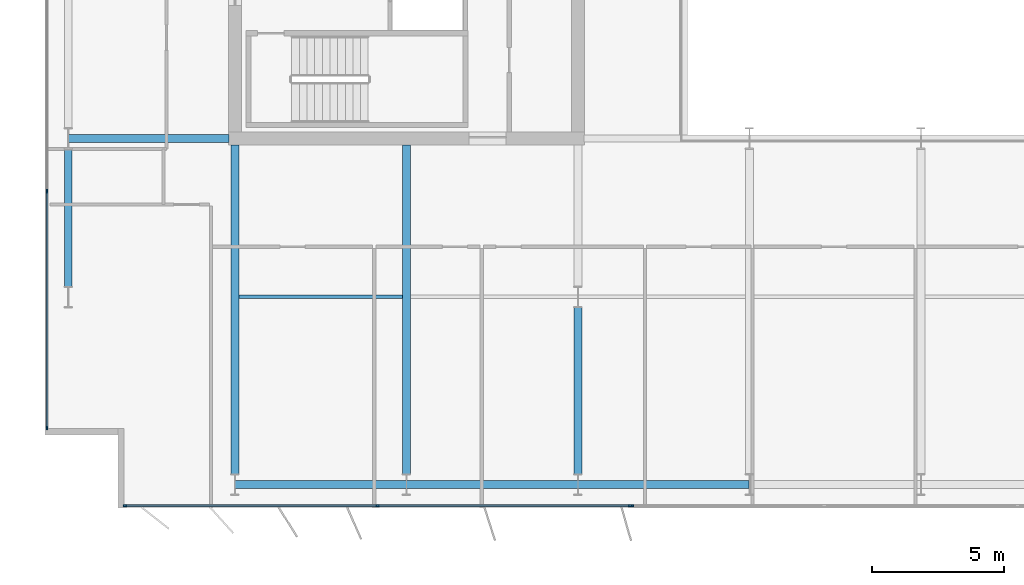
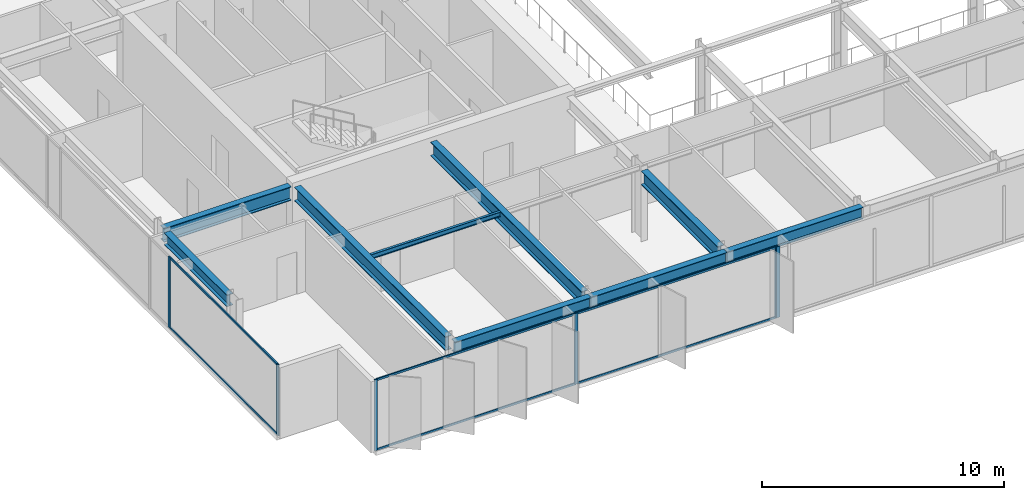
# One storey, part 3 of 23: 12 members, 9 beams, 3 elements without a shape of their own.
"""IFC4 building model written with IfcOpenShell, lengths in metres."""

from ifc_helpers import new_model, si_unit, direction, frame, origin, origin_2d, place, context, subcontext, project, spatial, rectangle, i_section, extrude, material, layer, layer_set, material_profile, profile_set, type_object, element, aggregate, save


model = new_model("IFC4")

# Units and contexts
model_context = context("Model", 3, precision=1e-05, world=origin(), true_north=direction((0.0, 1.0)))
body_context = subcontext(model_context, "Body", "Model", "MODEL_VIEW")
ifc_project = project(units=[si_unit("LENGTHUNIT", "METRE"), si_unit("AREAUNIT", "SQUARE_METRE"), si_unit("VOLUMEUNIT", "CUBIC_METRE"), si_unit("PLANEANGLEUNIT", "RADIAN"), si_unit("MASSUNIT", "GRAM", prefix="KILO")], contexts=[model_context])

# Site, building, storey
site_placement = place(None, origin())
site = spatial("IfcSite", under=ifc_project, at=site_placement, CompositionType="ELEMENT")
building_placement = place(site_placement, origin())
building = spatial("IfcBuilding", under=site, at=building_placement, Name="Putna Gate Headquarters", CompositionType="ELEMENT")
storey_placement = place(building_placement, frame((0.0, 0.0, 221.39990234375)))
storey = spatial("IfcBuildingStorey", under=building, at=storey_placement, Name="L55", CompositionType="ELEMENT", Elevation=221.39990234375)

# Beams
ifc_material_1 = material(Name="Steel S355J2", Category="steel")
ifc_material_profile_1 = material_profile(ifc_material_1, i_section(OverallWidth=0.300048828125, OverallDepth=0.699951171875, WebThickness=0.01708984375, FlangeThickness=0.031982421875, at=origin_2d()), Name="Steel S355J2")
ifc_profile_set_1 = profile_set([ifc_material_profile_1], Name="Steel S355J2")
beam_type_1 = type_object("IfcBeamType", Name="BM-GIRD-B-HEB700", PredefinedType="USERDEFINED", material=ifc_profile_set_1)
beam_1_placement = place(storey_placement, frame((6.68603515625, 19.0, 3.22998046875), z_axis=(1.0, 0.0, 0.0), x_axis=(0.0, 1.0, 0.0)))
element("IfcBeam", 1, at=beam_1_placement, inside=storey, type_object=beam_type_1, Name="L55 West Wing Girder Y19", ObjectType="GIRDER", PredefinedType="USERDEFINED", context=body_context, shape_type="SweptSolid", body=[
    extrude(i_section(OverallWidth=0.300048828125, OverallDepth=0.699951171875, WebThickness=0.01708984375, FlangeThickness=0.031982421875, at=origin_2d()), origin(), (0.0, 0.0, 1.0), 6.078857421875),
])
for number, where, z_axis, x_axis, name in (
    (2, (13.0, 6.27490234375, 3.22998046875), (0.0, 1.0, 0.0), (-1.0, 0.0, 0.0), "L55 South Primary Girder X13"),
    (3, (19.5, 6.27490234375, 3.22998046875), (0.0, 1.0, 0.0), (-1.0, 0.0, 0.0), "L55 South Primary Girder X19"),
):
    element("IfcBeam", number, at=place(storey_placement, frame(where, z_axis=z_axis, x_axis=x_axis)), inside=storey, type_object=beam_type_1, Name=name, ObjectType="GIRDER", PredefinedType="USERDEFINED", context=body_context, shape_type="SweptSolid", body=[
        extrude(i_section(OverallWidth=0.300048828125, OverallDepth=0.699951171875, WebThickness=0.01708984375, FlangeThickness=0.031982421875, at=origin_2d()), origin(), (0.0, 0.0, 1.0), 12.489990234375),
    ])
beam_2_placement = place(storey_placement, frame((26.0, 6.27490234375, 3.22998046875), z_axis=(0.0, 1.0, 0.0), x_axis=(-1.0, 0.0, 0.0)))
element("IfcBeam", 4, at=beam_2_placement, inside=storey, type_object=beam_type_1, Name="L55 South Primary Girder X26-1", ObjectType="GIRDER", PredefinedType="USERDEFINED", context=body_context, shape_type="SweptSolid", body=[
    extrude(i_section(OverallWidth=0.300048828125, OverallDepth=0.699951171875, WebThickness=0.01708984375, FlangeThickness=0.031982421875, at=origin_2d()), origin(), (0.0, 0.0, 1.0), 6.330078125),
])
ifc_material_profile_2 = material_profile(ifc_material_1, i_section(OverallWidth=0.1201171875, OverallDepth=0.239990234375, WebThickness=0.006103515625, FlangeThickness=0.009765625, at=origin_2d()), Name="Steel S355J2")
ifc_profile_set_2 = profile_set([ifc_material_profile_2], Name="Steel S355J2")
beam_type_2 = type_object("IfcBeamType", Name="BM-SEC-Z4-IPE240", PredefinedType="JOIST", material=ifc_profile_set_2)
beam_3_placement = place(storey_placement, frame((13.154052734375, 13.0, 3.460205078125), z_axis=(1.0, 0.0, 0.0), x_axis=(0.0, 1.0, 0.0)))
element("IfcBeam", 5, at=beam_3_placement, inside=storey, type_object=beam_type_2, Name="L55 South Secondary Beam 1", PredefinedType="JOIST", context=body_context, shape_type="SweptSolid", body=[
    extrude(i_section(OverallWidth=0.1201171875, OverallDepth=0.239990234375, WebThickness=0.006103515625, FlangeThickness=0.009765625, at=origin_2d()), origin(), (0.0, 0.0, 1.0), 6.19189453125),
])
ifc_material_profile_3 = material_profile(ifc_material_1, i_section(OverallWidth=0.300048828125, OverallDepth=0.590087890625, WebThickness=0.012939453125, FlangeThickness=0.02490234375, at=origin_2d()), Name="Steel S355J2")
ifc_profile_set_3 = profile_set([ifc_material_profile_3], Name="Steel S355J2")
beam_type_3 = type_object("IfcBeamType", Name="BM-SPAN-Z4-HEA600", PredefinedType="SPANDREL", material=ifc_profile_set_3)
for number, where, z_axis, x_axis, name in (
    (6, (13.006103515625, 5.8798828125, 3.28515625), (1.0, 0.0, 0.0), (0.0, 1.0, 0.0), "L55 S Perimeter Spandrel 1"),
    (7, (19.506103515625, 5.8798828125, 3.28515625), (1.0, 0.0, 0.0), (0.0, 1.0, 0.0), "L55 S Perimeter Spandrel 2"),
    (8, (26.006103515625, 5.8798828125, 3.28515625), (1.0, 0.0, 0.0), (0.0, 1.0, 0.0), "L55 S Perimeter Spandrel 3"),
):
    element("IfcBeam", number, at=place(storey_placement, frame(where, z_axis=z_axis, x_axis=x_axis)), inside=storey, type_object=beam_type_3, Name=name, PredefinedType="SPANDREL", context=body_context, shape_type="SweptSolid", body=[
        extrude(i_section(OverallWidth=0.300048828125, OverallDepth=0.590087890625, WebThickness=0.012939453125, FlangeThickness=0.02490234375, at=origin_2d()), origin(), (0.0, 0.0, 1.0), 6.48779296875),
    ])
beam_4_placement = place(storey_placement, frame((6.679931640625, 13.39501953125, 3.28515625), z_axis=(0.0, 1.0, 0.0), x_axis=(-1.0, 0.0, 0.0)))
element("IfcBeam", 9, at=beam_4_placement, inside=storey, type_object=beam_type_3, Name="L55 W End Spandrel 1", PredefinedType="SPANDREL", context=body_context, shape_type="SweptSolid", body=[
    extrude(i_section(OverallWidth=0.300048828125, OverallDepth=0.590087890625, WebThickness=0.012939453125, FlangeThickness=0.02490234375, at=origin_2d()), origin(), (0.0, 0.0, 1.0), 5.2099609375),
])

# Curtain wall, members
ifc_material_2 = material(Name="Anodised bronze aluminium curtain wall", Category="aluminium")
ifc_layer_1 = layer(ifc_material_2, 0.139892578125)
ifc_layer_set_1 = layer_set([ifc_layer_1], Name="Anodised bronze aluminium curtain wall")
curtain_wall_type_1 = type_object("IfcCurtainWallType", Name="CW-SYS-Z4", PredefinedType="USERDEFINED", material=ifc_layer_set_1)
curtain_wall_1_placement = place(storey_placement, origin())
curtain_wall_1 = element("IfcCurtainWall", 10, at=curtain_wall_1_placement, inside=storey, type_object=curtain_wall_type_1, Name="L55 South West Curtain Wall", ObjectType="STICK CURTAIN WALL", PredefinedType="USERDEFINED")
ifc_material_3 = material(Name="Anodised bronze aluminium EN AW-6060", Category="aluminium")
ifc_material_profile_4 = material_profile(ifc_material_3, rectangle(XDim=0.06005859375, YDim=0.139892578125, at=origin_2d()), Name="Anodised bronze aluminium EN AW-6060")
ifc_profile_set_4 = profile_set([ifc_material_profile_4], Name="Anodised bronze aluminium EN AW-6060")
member_type_1 = type_object("IfcMemberType", Name="MULL-CWM-4", PredefinedType="MULLION", material=ifc_profile_set_4)
member_1_placement = place(storey_placement, frame((8.830078125, 5.080078125, 0.0), z_axis=(0.0, 0.0, 1.0), x_axis=(0.0, 1.0, 0.0)))
member_1 = element("IfcMember", 11, at=member_1_placement, type_object=member_type_1, Name="CWS-4 mullion 1", PredefinedType="MULLION", context=body_context, shape_type="SweptSolid", body=[
    extrude(rectangle(XDim=0.06005859375, YDim=0.139892578125, at=origin_2d()), origin(), (0.0, 0.0, 1.0), 3.580078125),
])
member_2_placement = place(storey_placement, frame((18.39990234375, 5.080078125, 0.0), z_axis=(0.0, 0.0, 1.0), x_axis=(0.0, 1.0, 0.0)))
member_2 = element("IfcMember", 12, at=member_2_placement, type_object=member_type_1, Name="CWS-4 mullion 2", PredefinedType="MULLION", context=body_context, shape_type="SweptSolid", body=[
    extrude(rectangle(XDim=0.06005859375, YDim=0.139892578125, at=origin_2d()), origin(), (0.0, 0.0, 1.0), 3.580078125),
])
member_3_placement = place(storey_placement, frame((27.969970703125, 5.080078125, 0.0), z_axis=(0.0, 0.0, 1.0), x_axis=(0.0, 1.0, 0.0)))
member_3 = element("IfcMember", 13, at=member_3_placement, type_object=member_type_1, Name="CWS-4 mullion 3", PredefinedType="MULLION", context=body_context, shape_type="SweptSolid", body=[
    extrude(rectangle(XDim=0.06005859375, YDim=0.139892578125, at=origin_2d()), origin(), (0.0, 0.0, 1.0), 3.580078125),
])

curtain_wall_2_placement = place(storey_placement, origin())
curtain_wall_2 = element("IfcCurtainWall", 14, at=curtain_wall_2_placement, inside=storey, type_object=curtain_wall_type_1, Name="L55 West Curtain Wall", ObjectType="STICK CURTAIN WALL", PredefinedType="USERDEFINED")
member_4_placement = place(storey_placement, frame((5.8798828125, 8.030029296875, 0.0), z_axis=(0.0, 0.0, 1.0), x_axis=(-1.0, 0.0, 0.0)))
member_4 = element("IfcMember", 15, at=member_4_placement, type_object=member_type_1, Name="CWS-4 mullion 1", PredefinedType="MULLION", context=body_context, shape_type="SweptSolid", body=[
    extrude(rectangle(XDim=0.06005859375, YDim=0.139892578125, at=origin_2d()), origin(), (0.0, 0.0, 1.0), 3.580078125),
])
member_5_placement = place(storey_placement, frame((5.8798828125, 17.0, 0.0), z_axis=(0.0, 0.0, 1.0), x_axis=(-1.0, 0.0, 0.0)))
member_5 = element("IfcMember", 16, at=member_5_placement, type_object=member_type_1, Name="CWS-4 mullion 2", PredefinedType="MULLION", context=body_context, shape_type="SweptSolid", body=[
    extrude(rectangle(XDim=0.06005859375, YDim=0.139892578125, at=origin_2d()), origin(), (0.0, 0.0, 1.0), 3.580078125),
])

# Curtain wall, member
ifc_layer_2 = layer(ifc_material_2, 0.179931640625)
ifc_layer_set_2 = layer_set([ifc_layer_2], Name="Anodised bronze aluminium curtain wall")
curtain_wall_type_2 = type_object("IfcCurtainWallType", Name="CW-SYS-ATR", PredefinedType="USERDEFINED", material=ifc_layer_set_2)
curtain_wall_3_placement = place(storey_placement, origin())
curtain_wall_3 = element("IfcCurtainWall", 17, at=curtain_wall_3_placement, inside=storey, type_object=curtain_wall_type_2, Name="L55 South Atrium Clear Glazing", ObjectType="ATRIUM GLAZING", PredefinedType="USERDEFINED")
ifc_material_profile_5 = material_profile(ifc_material_3, rectangle(XDim=0.070068359375, YDim=0.179931640625, at=origin_2d()), Name="Anodised bronze aluminium EN AW-6060")
ifc_profile_set_5 = profile_set([ifc_material_profile_5], Name="Anodised bronze aluminium EN AW-6060")
member_type_2 = type_object("IfcMemberType", Name="MULL-CWM-AT", PredefinedType="MULLION", material=ifc_profile_set_5)
member_6_placement = place(storey_placement, frame((28.034912109375, 5.080078125, 0.0), z_axis=(0.0, 0.0, 1.0), x_axis=(0.0, 1.0, 0.0)))
member_6 = element("IfcMember", 18, at=member_6_placement, type_object=member_type_2, Name="CWS-AT mullion 1", PredefinedType="MULLION", context=body_context, shape_type="SweptSolid", body=[
    extrude(rectangle(XDim=0.070068359375, YDim=0.179931640625, at=origin_2d()), origin(), (0.0, 0.0, 1.0), 3.580078125),
])
aggregate(curtain_wall_3, [member_6])

# Member
ifc_material_profile_6 = material_profile(ifc_material_3, rectangle(XDim=0.06005859375, YDim=0.10009765625, at=origin_2d()), Name="Anodised bronze aluminium EN AW-6060")
ifc_profile_set_6 = profile_set([ifc_material_profile_6], Name="Anodised bronze aluminium EN AW-6060")
member_type_3 = type_object("IfcMemberType", Name="TRAN-CWT-4", PredefinedType="USERDEFINED", material=ifc_profile_set_6)
member_7_placement = place(storey_placement, frame((8.860107421875, 5.080078125, 0.030029296875), z_axis=(1.0, 0.0, 0.0), x_axis=(0.0, 1.0, 0.0)))
member_7 = element("IfcMember", 19, at=member_7_placement, type_object=member_type_3, Name="CWS-4 transom 1.1", ObjectType="TRANSOM", PredefinedType="USERDEFINED", context=body_context, shape_type="SweptSolid", body=[
    extrude(rectangle(XDim=0.06005859375, YDim=0.10009765625, at=origin_2d()), origin(), (0.0, 0.0, 1.0), 9.510009765625),
])

member_8_placement = place(storey_placement, frame((8.860107421875, 5.080078125, 3.550048828125), z_axis=(1.0, 0.0, 0.0), x_axis=(0.0, 1.0, 0.0)))
member_8 = element("IfcMember", 20, at=member_8_placement, type_object=member_type_3, Name="CWS-4 transom 1.2", ObjectType="TRANSOM", PredefinedType="USERDEFINED", context=body_context, shape_type="SweptSolid", body=[
    extrude(rectangle(XDim=0.06005859375, YDim=0.10009765625, at=origin_2d()), origin(), (0.0, 0.0, 1.0), 9.510009765625),
])

member_9_placement = place(storey_placement, frame((18.429931640625, 5.080078125, 0.030029296875), z_axis=(1.0, 0.0, 0.0), x_axis=(0.0, 1.0, 0.0)))
member_9 = element("IfcMember", 21, at=member_9_placement, type_object=member_type_3, Name="CWS-4 transom 2.1", ObjectType="TRANSOM", PredefinedType="USERDEFINED", context=body_context, shape_type="SweptSolid", body=[
    extrude(rectangle(XDim=0.06005859375, YDim=0.10009765625, at=origin_2d()), origin(), (0.0, 0.0, 1.0), 9.510009765625),
])

member_10_placement = place(storey_placement, frame((18.429931640625, 5.080078125, 3.550048828125), z_axis=(1.0, 0.0, 0.0), x_axis=(0.0, 1.0, 0.0)))
member_10 = element("IfcMember", 22, at=member_10_placement, type_object=member_type_3, Name="CWS-4 transom 2.2", ObjectType="TRANSOM", PredefinedType="USERDEFINED", context=body_context, shape_type="SweptSolid", body=[
    extrude(rectangle(XDim=0.06005859375, YDim=0.10009765625, at=origin_2d()), origin(), (0.0, 0.0, 1.0), 9.510009765625),
])

aggregate(curtain_wall_1, [member_1, member_2, member_3, member_7, member_8, member_9, member_10])

member_11_placement = place(storey_placement, frame((5.8798828125, 8.06005859375, 0.030029296875), z_axis=(0.0, 1.0, 0.0), x_axis=(-1.0, 0.0, 0.0)))
member_11 = element("IfcMember", 23, at=member_11_placement, type_object=member_type_3, Name="CWS-4 transom 1.1", ObjectType="TRANSOM", PredefinedType="USERDEFINED", context=body_context, shape_type="SweptSolid", body=[
    extrude(rectangle(XDim=0.06005859375, YDim=0.10009765625, at=origin_2d()), origin(), (0.0, 0.0, 1.0), 8.909912109375),
])

member_12_placement = place(storey_placement, frame((5.8798828125, 8.06005859375, 3.550048828125), z_axis=(0.0, 1.0, 0.0), x_axis=(-1.0, 0.0, 0.0)))
member_12 = element("IfcMember", 24, at=member_12_placement, type_object=member_type_3, Name="CWS-4 transom 1.2", ObjectType="TRANSOM", PredefinedType="USERDEFINED", context=body_context, shape_type="SweptSolid", body=[
    extrude(rectangle(XDim=0.06005859375, YDim=0.10009765625, at=origin_2d()), origin(), (0.0, 0.0, 1.0), 8.909912109375),
])

aggregate(curtain_wall_2, [member_4, member_5, member_11, member_12])

save(model, "model.ifc")
